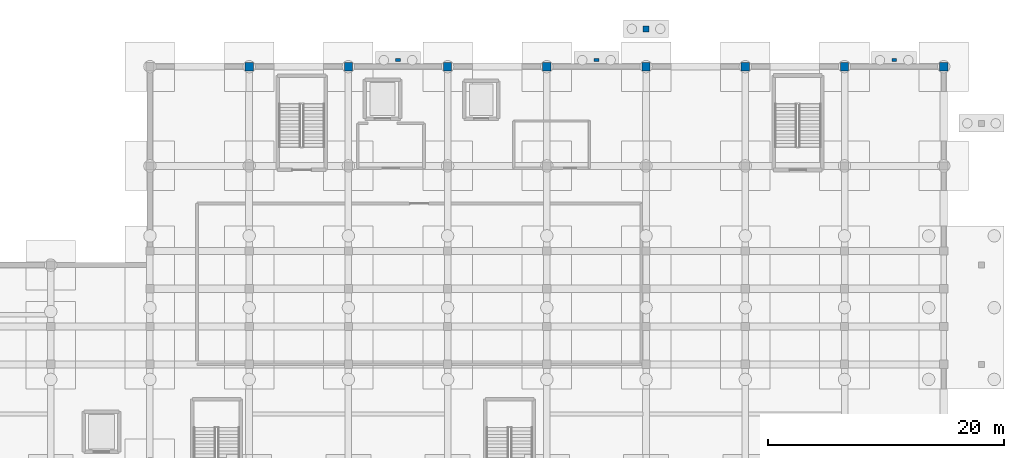
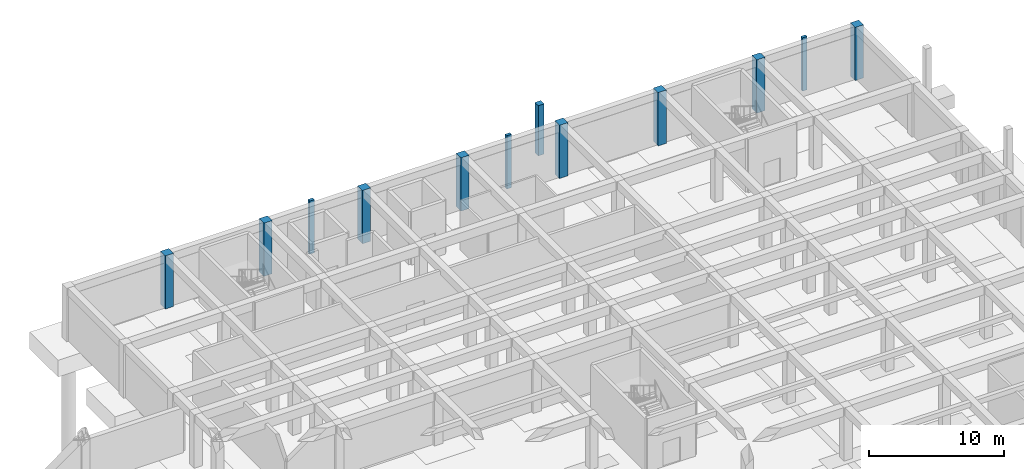
# One storey, part 14 of 51: 12 columns.
"""IFC4 building model written with IfcOpenShell, lengths in metres."""

from ifc_helpers import new_model, si_unit, direction, frame, origin, origin_2d, place, context, subcontext, project, spatial, rectangle, extrude, material, material_profile, profile_set, type_object, element, save


model = new_model("IFC4")

# Units and contexts
model_context = context("Model", 3, precision=1e-05, world=origin(), true_north=direction((0.0, 1.0)))
body_context = subcontext(model_context, "Body", "Model", "MODEL_VIEW")
ifc_project = project(units=[si_unit("LENGTHUNIT", "METRE"), si_unit("AREAUNIT", "SQUARE_METRE"), si_unit("VOLUMEUNIT", "CUBIC_METRE"), si_unit("PLANEANGLEUNIT", "RADIAN"), si_unit("MASSUNIT", "GRAM", prefix="KILO")], contexts=[model_context])

# Site, building, storey
site_placement = place(None, origin())
site = spatial("IfcSite", under=ifc_project, at=site_placement, CompositionType="ELEMENT")
building_placement = place(site_placement, origin())
building = spatial("IfcBuilding", under=site, at=building_placement, Name="Varncliffe General Hospital", CompositionType="ELEMENT")
storey_placement = place(building_placement, frame((0.0, 0.0, -4.800048828125)))
storey = spatial("IfcBuildingStorey", under=building, at=storey_placement, Name="B1", CompositionType="ELEMENT", Elevation=-4.800048828125)

# Columns
ifc_material_1 = material(Name="Concrete C40/50 (CSA A23.1 40 MPa)", Category="concrete")
ifc_material_profile_1 = material_profile(ifc_material_1, rectangle(XDim=0.699951171875, YDim=0.699951171875, at=origin_2d()), Name="RC 700x700")
ifc_profile_set_1 = profile_set([ifc_material_profile_1], Name="Concrete C40/50 (CSA A23.1 40 MPa)")
column_type_1 = type_object("IfcColumnType", Name="Column C54 (Ext RC 700x700)", PredefinedType="COLUMN", material=ifc_profile_set_1)
for number, where, z_axis, x_axis, name in (
    (1, (117.60009765625, 124.800048828125, 0.0), (0.0, 0.0, 1.0), (1.0, 0.0, 0.0), "B1 Column C54"),
    (2, (126.0, 124.800048828125, 0.0), (0.0, 0.0, 1.0), (1.0, 0.0, 0.0), "B1 Column C54"),
    (3, (134.39990234375, 124.800048828125, 0.0), (0.0, 0.0, 1.0), (1.0, 0.0, 0.0), "B1 Column C54"),
    (4, (142.800048828125, 124.800048828125, 0.0), (0.0, 0.0, 1.0), (1.0, 0.0, 0.0), "B1 Column C54"),
    (5, (151.199951171875, 124.800048828125, 0.0), (0.0, 0.0, 1.0), (1.0, 0.0, 0.0), "B1 Column C54"),
    (6, (159.60009765625, 124.800048828125, 0.0), (0.0, 0.0, 1.0), (1.0, 0.0, 0.0), "B1 Column C54"),
    (7, (168.0, 124.800048828125, 0.0), (0.0, 0.0, 1.0), (1.0, 0.0, 0.0), "B1 Column C54"),
    (8, (176.39990234375, 124.800048828125, 0.0), (0.0, 0.0, 1.0), (1.0, 0.0, 0.0), "B1 Column C54"),
):
    element("IfcColumn", number, at=place(storey_placement, frame(where, z_axis=z_axis, x_axis=x_axis)), inside=storey, type_object=column_type_1, Name=name, PredefinedType="COLUMN", context=body_context, shape_type="SweptSolid", body=[
        extrude(rectangle(XDim=0.699951171875, YDim=0.699951171875, at=origin_2d()), origin(), (0.0, 0.0, 1.0), 4.800048828125),
    ])
ifc_material_profile_2 = material_profile(ifc_material_1, rectangle(XDim=0.5, YDim=0.5, at=origin_2d()), Name="RC 500x500")
ifc_profile_set_2 = profile_set([ifc_material_profile_2], Name="Concrete C40/50 (CSA A23.1 40 MPa)")
column_type_2 = type_object("IfcColumnType", Name="Column C65 (Ext RC 500x500)", PredefinedType="COLUMN", material=ifc_profile_set_2)
column_placement = place(storey_placement, frame((151.199951171875, 128.0, 0.0), z_axis=(0.0, 0.0, 1.0), x_axis=(1.0, 0.0, 0.0)))
element("IfcColumn", 9, at=column_placement, inside=storey, type_object=column_type_2, Name="B1 Perimeter Walkway Support Pier", PredefinedType="COLUMN", context=body_context, shape_type="SweptSolid", body=[
    extrude(rectangle(XDim=0.5, YDim=0.5, at=origin_2d()), origin(), (0.0, 0.0, 1.0), 4.52001953125),
])
ifc_material_2 = material(Name="Precast concrete C40/50", Category="concrete")
ifc_material_profile_3 = material_profile(ifc_material_2, rectangle(XDim=0.39990234375, YDim=0.25, at=origin_2d()), Name="PIL 400x250")
ifc_profile_set_3 = profile_set([ifc_material_profile_3], Name="Precast concrete C40/50")
column_type_3 = type_object("IfcColumnType", Name="Pilaster PL17 (PIL 400x250)", PredefinedType="PILASTER", material=ifc_profile_set_3)
for number, where, z_axis, x_axis, name in (
    (10, (130.199951171875, 125.35009765625, 0.0), (0.0, 0.0, 1.0), (1.0, 0.0, 0.0), "B1 Facade Pilaster PL17-15"),
    (11, (147.0, 125.35009765625, 0.0), (0.0, 0.0, 1.0), (1.0, 0.0, 0.0), "B1 Facade Pilaster PL17-16"),
    (12, (172.199951171875, 125.35009765625, 0.0), (0.0, 0.0, 1.0), (1.0, 0.0, 0.0), "B1 Facade Pilaster PL17-17"),
):
    element("IfcColumn", number, at=place(storey_placement, frame(where, z_axis=z_axis, x_axis=x_axis)), inside=storey, type_object=column_type_3, Name=name, PredefinedType="PILASTER", context=body_context, shape_type="SweptSolid", body=[
        extrude(rectangle(XDim=0.39990234375, YDim=0.25, at=origin_2d()), origin(), (0.0, 0.0, 1.0), 4.800048828125),
    ])

save(model, "model.ifc")
